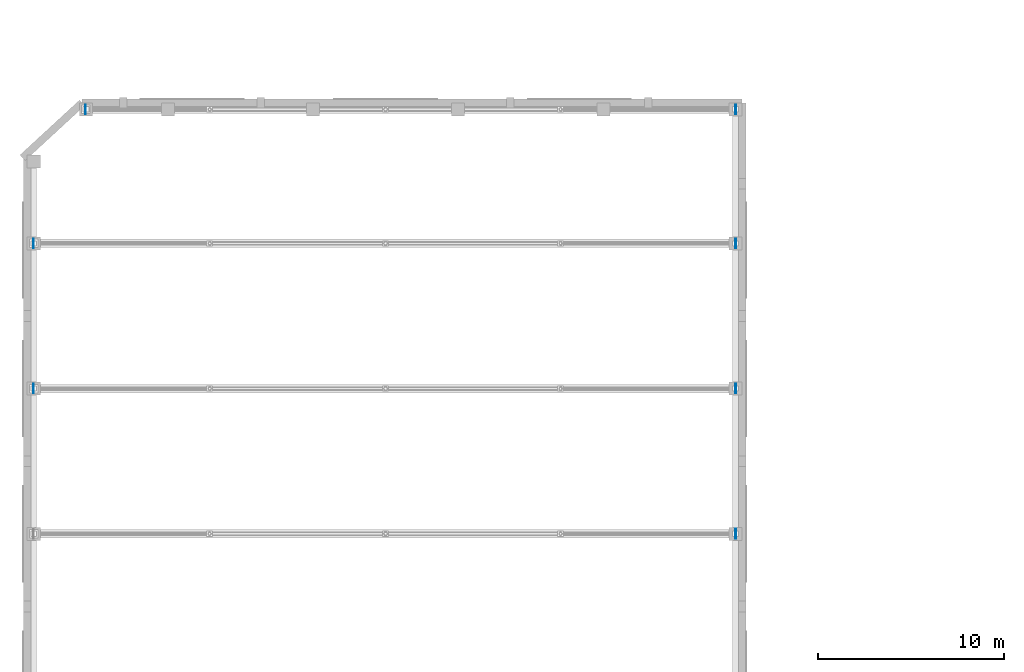
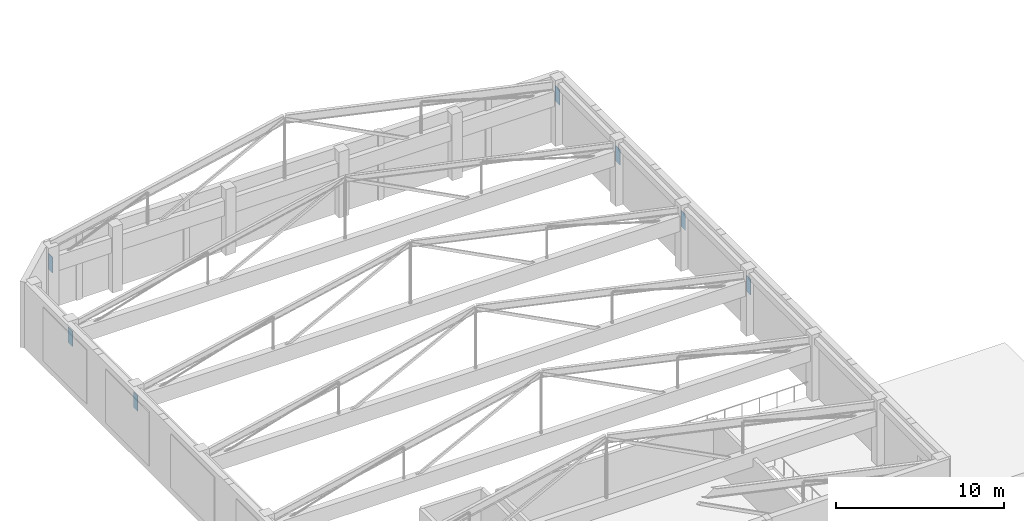
# One storey, part 75 of 105: 7 plates.
"""IFC4 building model written with IfcOpenShell, lengths in metres."""

import ifcopenshell
import ifcopenshell.guid

model = None  # the IFC model being written
_history = None  # IfcOwnerHistory: only IFC2X3 demands one
_inside = {}  # id of a spatial element -> (the spatial element, [elements in it])
_under = {}  # id of a project, library or spatial element -> (it, [spatial elements below it])
_declared = {}  # id of a project -> (the project, [libraries it declares])
_typed = {}  # id of a type object -> (the type object, [elements of that type])
_made_of = {}  # id of a material, layer set ... -> (it, [elements and type objects made of it])


def new_model(schema):
    """Start an empty IFC model of exactly this schema.

    Asked for "IFC4X3", IfcOpenShell would pick the latest addendum, in which some entities
    have other attributes; the version numbers below select the first issue.
    IFC2X3 requires an IfcOwnerHistory on every rooted entity: one is made here for all.
    """
    global model, _history
    if schema == "IFC4X3":
        model = ifcopenshell.file(schema_version=(4, 3, 0, 0))
    else:
        model = ifcopenshell.file(schema=schema)
    _inside.clear()
    _under.clear()
    _declared.clear()
    _typed.clear()
    _made_of.clear()
    _history = None
    if model.schema == "IFC2X3":
        org = make("IfcOrganization", Name="unknown")
        user = make(
            "IfcPersonAndOrganization",
            ThePerson=make("IfcPerson", FamilyName="unknown"),
            TheOrganization=org,
        )
        app = make(
            "IfcApplication",
            ApplicationDeveloper=org,
            Version="unknown",
            ApplicationFullName="unknown",
            ApplicationIdentifier="unknown",
        )
        _history = make(
            "IfcOwnerHistory",
            OwningUser=user,
            OwningApplication=app,
            ChangeAction="ADDED",
            CreationDate=0,
        )
    return model


def make(cls, **values):
    """One entity of the class cls with the attributes given. An attribute that is None is left unset."""
    return model.create_entity(
        cls, **{name: value for name, value in values.items() if value is not None}
    )


def rooted(cls, **values):
    """An entity with a GlobalId (a new one), such as an element, a storey or a relation."""
    return make(cls, GlobalId=ifcopenshell.guid.new(), OwnerHistory=_history, **values)


def si_unit(unit_type, name, prefix=None):
    """IfcSIUnit, for example si_unit("LENGTHUNIT", "METRE", prefix="MILLI")."""
    return make("IfcSIUnit", UnitType=unit_type, Prefix=prefix, Name=name)


def assignment(units):
    """IfcUnitAssignment: the units of a project."""
    return None if units is None else make("IfcUnitAssignment", Units=units)


def point(xyz):
    """IfcCartesianPoint."""
    return None if xyz is None else make("IfcCartesianPoint", Coordinates=xyz)


def direction(xyz):
    """IfcDirection."""
    return None if xyz is None else make("IfcDirection", DirectionRatios=xyz)


def frame(location, z_axis=None, x_axis=None):
    """IfcAxis2Placement3D, a coordinate frame: its origin and axes. An axis left out is left unset."""
    return make(
        "IfcAxis2Placement3D",
        Location=point(location),
        Axis=direction(z_axis),
        RefDirection=direction(x_axis),
    )


def frame_2d(location, x_axis=None):
    """IfcAxis2Placement2D, a coordinate frame in the plane: its origin and x axis."""
    return make(
        "IfcAxis2Placement2D", Location=point(location), RefDirection=direction(x_axis)
    )


def origin():
    """The frame at (0, 0, 0) with its axes left unset."""
    return frame((0.0, 0.0, 0.0))


def origin_2d():
    """The frame at (0, 0) in the plane with its x axis left unset."""
    return frame_2d((0.0, 0.0))


def place(relative_to, where):
    """IfcLocalPlacement: puts the frame where relative to a parent placement (None: the world)."""
    return make(
        "IfcLocalPlacement", PlacementRelTo=relative_to, RelativePlacement=where
    )


def context(
    kind, dimensions, precision=None, world=None, true_north=None, identifier=None
):
    """IfcGeometricRepresentationContext, for example the 3D "Model" context."""
    return make(
        "IfcGeometricRepresentationContext",
        ContextIdentifier=identifier,
        ContextType=kind,
        CoordinateSpaceDimension=dimensions,
        Precision=precision,
        WorldCoordinateSystem=world,
        TrueNorth=true_north,
    )


def subcontext(parent, identifier, kind, view, scale=None):
    """IfcGeometricRepresentationSubContext, for example "Body" below "Model"."""
    return make(
        "IfcGeometricRepresentationSubContext",
        ContextIdentifier=identifier,
        ContextType=kind,
        ParentContext=parent,
        TargetScale=scale,
        TargetView=view,
    )


def project(units=None, contexts=None):
    """IfcProject with its units and contexts."""
    return rooted(
        "IfcProject",
        Name="project",
        RepresentationContexts=contexts,
        UnitsInContext=assignment(units),
    )


def spatial(cls, under=None, at=None, **own):
    """A site, building, storey or space (cls), placed at a placement, below another one or the project."""
    s = rooted(cls, ObjectPlacement=at, **own)
    if under is not None:
        _under.setdefault(under.id(), (under, []))[1].append(s)
    return s


def profile(cls, at=None, kind="AREA", **sizes):
    """A parametric profile (cls). Its sizes go by their IFC names, for example OverallWidth=200.0."""
    return make(cls, ProfileType=kind, Position=at, **sizes)


def rectangle(**sizes):
    """IfcRectangleProfileDef."""
    return profile("IfcRectangleProfileDef", **sizes)


def extrude(swept, where, along, depth):
    """IfcExtrudedAreaSolid: the profile swept, set in the frame where, extruded along a direction by depth."""
    return make(
        "IfcExtrudedAreaSolid",
        SweptArea=swept,
        Position=where,
        ExtrudedDirection=direction(along),
        Depth=depth,
    )


def shape(context_of_items, identifier, shape_type, items):
    """IfcShapeRepresentation: the items that make up one representation, for example the "Body"."""
    return make(
        "IfcShapeRepresentation",
        ContextOfItems=context_of_items,
        RepresentationIdentifier=identifier,
        RepresentationType=shape_type,
        Items=items,
    )


def material(Name=None, Category=None):
    """IfcMaterial."""
    return make("IfcMaterial", Name=Name, Category=Category)


def layer(
    of_material, thickness, ventilated=None, Name=None, Category=None, Priority=None
):
    """IfcMaterialLayer: one layer of a wall or slab, of a material (None: an air gap)."""
    return make(
        "IfcMaterialLayer",
        Material=of_material,
        LayerThickness=thickness,
        IsVentilated=ventilated,
        Name=Name,
        Category=Category,
        Priority=Priority,
    )


def layer_set(layers, Name=None):
    """IfcMaterialLayerSet."""
    return make("IfcMaterialLayerSet", MaterialLayers=layers, LayerSetName=Name)


def made_of(thing, what):
    """Note that an element or type object is made of a material, layer set ...; save() writes the relation."""
    if what is not None:
        _made_of.setdefault(what.id(), (what, []))[1].append(thing)
    return thing


def type_object(cls, material=None, **own):
    """A type object (cls), such as IfcWallType, which elements share."""
    return made_of(rooted(cls, **own), material)


def element(
    cls,
    number,
    at=None,
    inside=None,
    cuts=None,
    type_object=None,
    material=None,
    context=None,
    identifier="Body",
    shape_type=None,
    held_by="IfcProductDefinitionShape",
    body=None,
    shapes=None,
    **own,
):
    """One element of the class cls, such as IfcWall. Its Tag is "e" and its number.

    at: its placement. inside: the storey or other place that contains it. cuts: it is an
    opening in that element (IfcRelVoidsElement). A single representation is given by context,
    identifier, shape_type and body (its items); several are given by shapes. held_by: the class
    of the entity that holds the representations. save() writes the other relations.
    """
    e = rooted(cls, Tag="e%d" % number, ObjectPlacement=at, **own)
    if body is not None:
        shapes = [shape(context, identifier, shape_type, body)]
    if shapes is not None:
        e.Representation = make(held_by, Representations=shapes)
    if inside is not None:
        _inside.setdefault(inside.id(), (inside, []))[1].append(e)
    if cuts is not None:
        rooted(
            "IfcRelVoidsElement", RelatingBuildingElement=cuts, RelatedOpeningElement=e
        )
    if type_object is not None:
        _typed.setdefault(type_object.id(), (type_object, []))[1].append(e)
    return made_of(e, material)


def aggregate(whole, parts):
    """IfcRelAggregates: a whole, such as a stair, and the parts it consists of."""
    return rooted("IfcRelAggregates", RelatingObject=whole, RelatedObjects=parts)


def save(model, path):
    """Write the relations noted so far, then the file.

    IfcRelAggregates (storeys below a building ...), IfcRelContainedInSpatialStructure (elements
    in a storey), IfcRelDefinesByType, IfcRelAssociatesMaterial and IfcRelDeclares: one each for
    every whole, place, type object, material and project.
    """
    for whole, parts in _under.values():
        aggregate(whole, parts)
    for where, things in _inside.values():
        rooted(
            "IfcRelContainedInSpatialStructure",
            RelatedElements=things,
            RelatingStructure=where,
        )
    for kind, things in _typed.values():
        rooted("IfcRelDefinesByType", RelatedObjects=things, RelatingType=kind)
    for what, things in _made_of.values():
        rooted("IfcRelAssociatesMaterial", RelatedObjects=things, RelatingMaterial=what)
    for by, libraries in _declared.values():
        rooted("IfcRelDeclares", RelatingContext=by, RelatedDefinitions=libraries)
    model.write(path)


model = new_model("IFC4")

# Units and contexts
model_context = context("Model", 3, precision=1e-05, world=origin(), true_north=direction((0.0, 1.0)))
body_context = subcontext(model_context, "Body", "Model", "MODEL_VIEW")
ifc_project = project(units=[si_unit("LENGTHUNIT", "METRE"), si_unit("AREAUNIT", "SQUARE_METRE"), si_unit("VOLUMEUNIT", "CUBIC_METRE"), si_unit("PLANEANGLEUNIT", "RADIAN"), si_unit("MASSUNIT", "GRAM", prefix="KILO")], contexts=[model_context])

# Site, building, storey
site_placement = place(None, origin())
site = spatial("IfcSite", under=ifc_project, at=site_placement, CompositionType="ELEMENT")
building_placement = place(site_placement, origin())
building = spatial("IfcBuilding", under=site, at=building_placement, Name="Pelvatis Terrace Science Centre", CompositionType="ELEMENT")
storey_placement = place(building_placement, frame((0.0, 0.0, 10.199951171875)))
storey = spatial("IfcBuildingStorey", under=building, at=storey_placement, Name="L02", CompositionType="ELEMENT", Elevation=10.199951171875)

# Plates
ifc_material = material(Name="Structural steel S355", Category="steel")
ifc_layer = layer(ifc_material, 1.139892578125)
ifc_layer_set = layer_set([ifc_layer], Name="Structural steel S355")
plate_type = type_object("IfcPlateType", Name="PLT-CAP-BOX1100", PredefinedType="USERDEFINED", material=ifc_layer_set)
for number, where, z_axis, x_axis, name in (
    (1, (46.112060546875, 93.60009765625, 2.830078125), (0.0, 0.0, 1.0), (1.0, 0.0, 0.0), "Hollow box girder end cap plate 008"),
    (2, (8.387939453125, 101.39990234375, 2.830078125), (0.0, 0.0, 1.0), (1.0, 0.0, 0.0), "Hollow box girder end cap plate 009"),
    (3, (46.112060546875, 101.39990234375, 2.830078125), (0.0, 0.0, 1.0), (1.0, 0.0, 0.0), "Hollow box girder end cap plate 010"),
    (4, (8.387939453125, 109.199951171875, 2.830078125), (0.0, 0.0, 1.0), (1.0, 0.0, 0.0), "Hollow box girder end cap plate 011"),
    (5, (46.112060546875, 109.199951171875, 2.830078125), (0.0, 0.0, 1.0), (1.0, 0.0, 0.0), "Hollow box girder end cap plate 012"),
    (6, (11.18798828125, 116.39990234375, 2.830078125), (0.0, 0.0, 1.0), (1.0, 0.0, 0.0), "Hollow box girder end cap plate 013"),
    (7, (46.112060546875, 116.39990234375, 2.830078125), (0.0, 0.0, 1.0), (1.0, 0.0, 0.0), "Hollow box girder end cap plate 014"),
):
    element("IfcPlate", number, at=place(storey_placement, frame(where, z_axis=z_axis, x_axis=x_axis)), inside=storey, type_object=plate_type, Name=name, ObjectType="CAP PLATE", PredefinedType="USERDEFINED", context=body_context, shape_type="SweptSolid", body=[
        extrude(rectangle(XDim=0.031982421875, YDim=0.52001953125, at=origin_2d()), origin(), (0.0, 0.0, 1.0), 1.139892578125),
    ])

save(model, "model.ifc")
